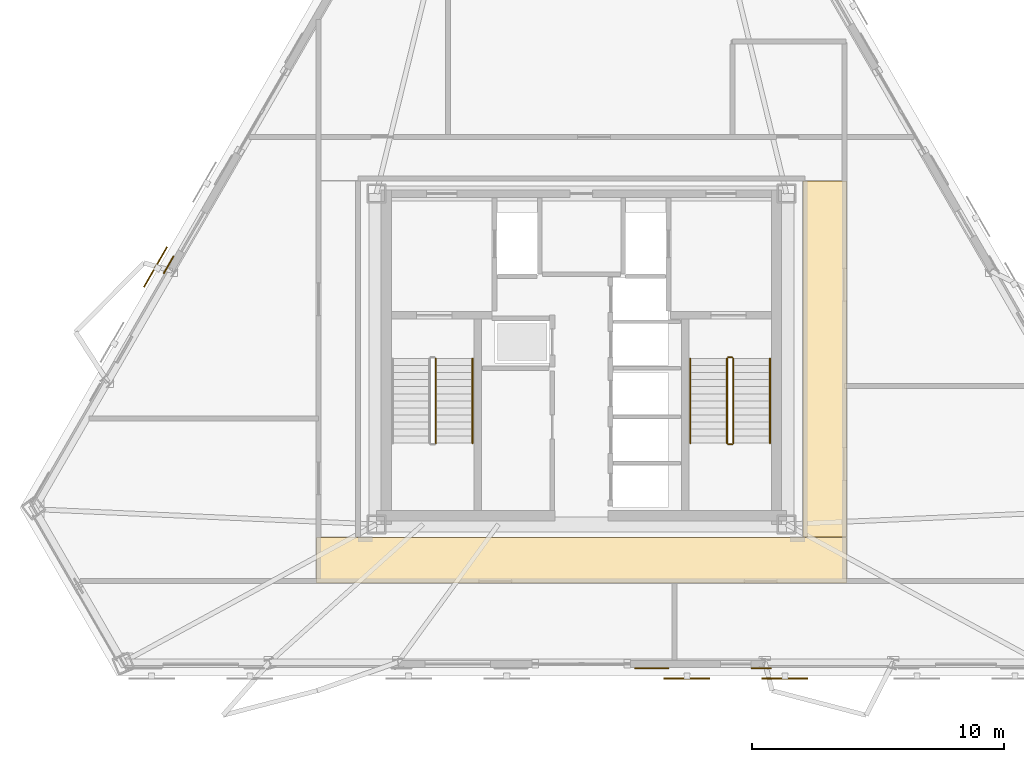
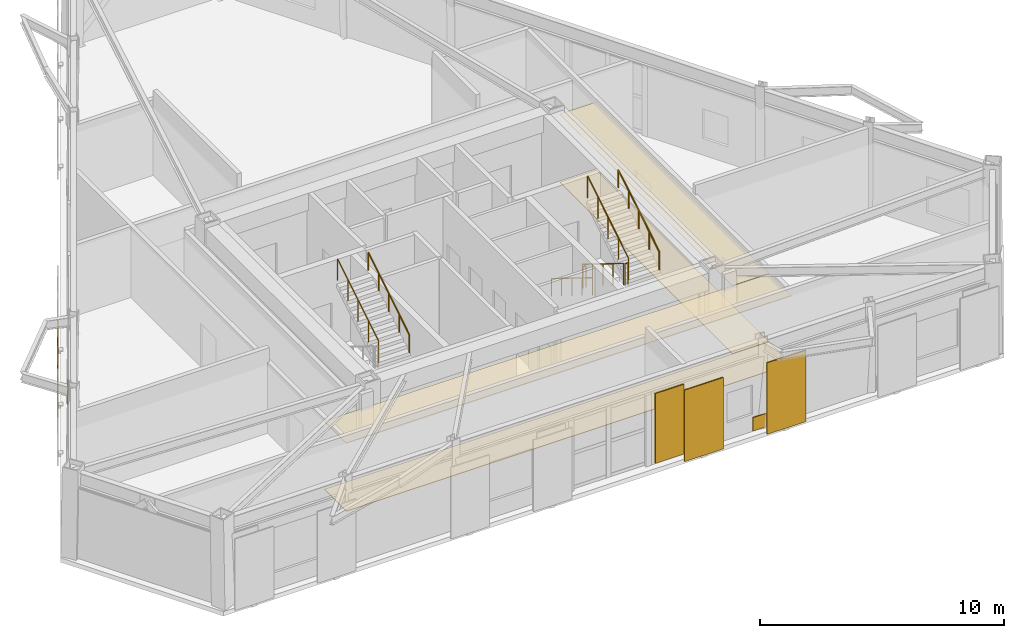
# One storey, part 12 of 14: 8 railings, 7 coverings, 3 shading devices.
"""IFC4 building model written with IfcOpenShell, lengths in metres."""

from ifc_helpers import new_model, si_unit, direction, frame, origin, origin_2d, place, context, subcontext, project, spatial, polyline, rectangle, circle, outline, extrude, material, layer, layer_set, type_object, element, save


model = new_model("IFC4")

# Units and contexts
model_context = context("Model", 3, precision=1e-05, world=origin(), true_north=direction((0.0, 1.0)))
body_context = subcontext(model_context, "Body", "Model", "MODEL_VIEW")
ifc_project = project(units=[si_unit("LENGTHUNIT", "METRE"), si_unit("AREAUNIT", "SQUARE_METRE"), si_unit("VOLUMEUNIT", "CUBIC_METRE"), si_unit("PLANEANGLEUNIT", "RADIAN"), si_unit("MASSUNIT", "GRAM", prefix="KILO")], contexts=[model_context])

# Site, building, storey
site_placement = place(None, origin())
site = spatial("IfcSite", under=ifc_project, at=site_placement, CompositionType="ELEMENT")
building_placement = place(site_placement, origin())
building = spatial("IfcBuilding", under=site, at=building_placement, Name="Oramaril Tower", CompositionType="ELEMENT")
storey_placement = place(building_placement, frame((0.0, 0.0, 204.60009765625)))
storey = spatial("IfcBuildingStorey", under=building, at=storey_placement, Name="L54", CompositionType="ELEMENT", Elevation=204.60009765625)

# Coverings
ifc_material_1 = material(Name="Mineral Fibre Acoustic Ceiling")
ifc_layer_1 = layer(ifc_material_1, 0.02001953125)
ifc_layer_set_1 = layer_set([ifc_layer_1], Name="CVT-CEIL")
covering_type_1 = type_object("IfcCoveringType", Name="CVT-CEIL", PredefinedType="CEILING", material=ifc_layer_set_1)
covering_1_placement = place(storey_placement, frame((0.0, 0.0, 3.411865234375)))
element("IfcCovering", 1, at=covering_1_placement, inside=storey, type_object=covering_type_1, Name="L54 Acoustic Suspended Ceiling 1", PredefinedType="CEILING", context=body_context, shape_type="SweptSolid", body=[
    extrude(outline(polyline([(48.030029296875, 10.47998046875), (48.030029296875, 8.669921875), (26.969970703125, 8.669921875), (26.969970703125, 10.47998046875), (48.030029296875, 10.47998046875)])), origin(), (0.0, 0.0, 1.0), 0.02001953125),
])
covering_2_placement = place(storey_placement, frame((0.0, 0.0, 3.411865234375)))
element("IfcCovering", 2, at=covering_2_placement, inside=storey, type_object=covering_type_1, Name="L54 Acoustic Suspended Ceiling 4", PredefinedType="CEILING", context=body_context, shape_type="SweptSolid", body=[
    extrude(outline(polyline([(48.030029296875, 10.5), (46.300048828125, 10.5), (46.300048828125, 24.64990234375), (48.030029296875, 24.64990234375), (48.030029296875, 10.5)])), origin(), (0.0, 0.0, 1.0), 0.02001953125),
])
ifc_material_2 = material(Name="Warm Cream Limestone", Category="masonry")
ifc_layer_2 = layer(ifc_material_2, 0.050048828125)
ifc_layer_set_2 = layer_set([ifc_layer_2], Name="CVT-CLD")
covering_type_2 = type_object("IfcCoveringType", Name="CVT-CLD", PredefinedType="CLADDING", material=ifc_layer_set_2)
covering_3_placement = place(storey_placement, frame((40.300048828125, 5.28125, 0.039794921875), z_axis=(0.0, 0.0, 1.0), x_axis=(1.0, 0.0, 0.0)))
element("IfcCovering", 3, at=covering_3_placement, inside=storey, type_object=covering_type_2, Name="L54 Warm Cream Limestone Cladding", PredefinedType="CLADDING", context=body_context, shape_type="SweptSolid", body=[
    extrude(rectangle(XDim=1.35009765625, YDim=0.050048828125, at=origin_2d()), origin(), (0.0, 0.0, 1.0), 3.4970703125),
])
for number, where, z_axis, x_axis, name in (
    (4, (44.651611328125, 5.28125, 0.0400390625), (0.0, 0.0, 1.0), (1.0, 0.0, 0.0), "L54 Warm Cream Limestone Spandrel Cladding"),
    (5, (21.0908203125, 21.31591796875, 0.0400390625), (0.0, 0.0, 1.0), (-0.5, -0.866025403784, 0.0), "L54 Warm Cream Limestone Spandrel Cladding"),
):
    element("IfcCovering", number, at=place(storey_placement, frame(where, z_axis=z_axis, x_axis=x_axis)), inside=storey, type_object=covering_type_2, Name=name, PredefinedType="CLADDING", context=body_context, shape_type="SweptSolid", body=[
        extrude(rectangle(XDim=0.800048828125, YDim=0.050048828125, at=origin_2d()), origin(), (0.0, 0.0, 1.0), 0.679931640625),
    ])
ifc_material_3 = material(Name="Honed Quartzite Stone Flooring", Category="masonry")
ifc_layer_3 = layer(ifc_material_3, 0.02490234375)
ifc_layer_set_3 = layer_set([ifc_layer_3], Name="CVT-FLR")
covering_type_3 = type_object("IfcCoveringType", Name="CVT-FLR", PredefinedType="FLOORING", material=ifc_layer_set_3)
covering_4_placement = place(storey_placement, origin())
element("IfcCovering", 6, at=covering_4_placement, inside=storey, type_object=covering_type_3, Name="L54 Honed Stone Floor Finish 1", PredefinedType="FLOORING", context=body_context, shape_type="SweptSolid", body=[
    extrude(outline(polyline([(48.030029296875, 10.47998046875), (48.030029296875, 8.669921875), (26.969970703125, 8.669921875), (26.969970703125, 10.47998046875), (48.030029296875, 10.47998046875)])), origin(), (0.0, 0.0, 1.0), 0.02490234375),
])
covering_5_placement = place(storey_placement, origin())
element("IfcCovering", 7, at=covering_5_placement, inside=storey, type_object=covering_type_3, Name="L54 Honed Stone Floor Finish 4", PredefinedType="FLOORING", context=body_context, shape_type="SweptSolid", body=[
    extrude(outline(polyline([(48.030029296875, 10.5), (46.300048828125, 10.5), (46.300048828125, 24.64990234375), (48.030029296875, 24.64990234375), (48.030029296875, 10.5)])), origin(), (0.0, 0.0, 1.0), 0.02490234375),
])

# Railings
ifc_material_4 = material(Name="Stainless Steel 316L", Category="steel")
railing_type_1 = type_object("IfcRailingType", Name="RLT-GRD", PredefinedType="GUARDRAIL", material=ifc_material_4)
railing_1_placement = place(storey_placement, frame((31.7099609375, 14.22998046875, 2.423095703125)))
element("IfcRailing", 8, at=railing_1_placement, inside=storey, type_object=railing_type_1, Name="L54 ST-1 stair guard 3", PredefinedType="GUARDRAIL", context=body_context, shape_type="SweptSolid", body=[
    extrude(circle(Radius=0.02392578125, at=origin_2d()), frame((0.0, 0.0, 1.076171875), z_axis=(0.0, 0.850623216509, 0.525775754039), x_axis=(-1.0, 0.0, 0.0)), (0.0, 0.0, 1.0), 3.9501953125),
    extrude(circle(Radius=0.02099609375, at=origin_2d()), origin(), (0.0, 0.0, 1.0), 1.052001953125),
    extrude(circle(Radius=0.02099609375, at=origin_2d()), frame((0.0, 0.840087890625, 0.519287109375)), (0.0, 0.0, 1.0), 1.052001953125),
    extrude(circle(Radius=0.02099609375, at=origin_2d()), frame((0.0, 1.68017578125, 1.03857421875)), (0.0, 0.0, 1.0), 1.052001953125),
    extrude(circle(Radius=0.02099609375, at=origin_2d()), frame((0.0, 2.52001953125, 1.5576171875)), (0.0, 0.0, 1.0), 1.052001953125),
    extrude(circle(Radius=0.02099609375, at=origin_2d()), frame((0.0, 3.360107421875, 2.076904296875)), (0.0, 0.0, 1.0), 1.052001953125),
])
railing_2_placement = place(storey_placement, frame((43.2900390625, 17.590087890625, 0.173095703125)))
element("IfcRailing", 9, at=railing_2_placement, inside=storey, type_object=railing_type_1, Name="L54 ST-2 stair guard 1", PredefinedType="GUARDRAIL", context=body_context, shape_type="SweptSolid", body=[
    extrude(circle(Radius=0.02392578125, at=origin_2d()), frame((0.0, 0.0, 1.076171875), z_axis=(0.0, -0.850623216509, 0.525775754039), x_axis=(1.0, 0.0, 0.0)), (0.0, 0.0, 1.0), 3.9501953125),
    extrude(circle(Radius=0.02099609375, at=origin_2d()), origin(), (0.0, 0.0, 1.0), 1.052001953125),
    extrude(circle(Radius=0.02099609375, at=origin_2d()), frame((0.0, -0.840087890625, 0.519287109375)), (0.0, 0.0, 1.0), 1.052001953125),
    extrude(circle(Radius=0.02099609375, at=origin_2d()), frame((0.0, -1.68017578125, 1.03857421875)), (0.0, 0.0, 1.0), 1.052001953125),
    extrude(circle(Radius=0.02099609375, at=origin_2d()), frame((0.0, -2.52001953125, 1.5576171875)), (0.0, 0.0, 1.0), 1.052001953125),
    extrude(circle(Radius=0.02099609375, at=origin_2d()), frame((0.0, -3.360107421875, 2.076904296875)), (0.0, 0.0, 1.0), 1.052001953125),
])
railing_3_placement = place(storey_placement, frame((43.340087890625, 14.179931640625, 2.25)))
element("IfcRailing", 10, at=railing_3_placement, inside=storey, type_object=railing_type_1, Name="L54 ST-2 stair guard 2", PredefinedType="GUARDRAIL", context=body_context, shape_type="SweptSolid", body=[
    extrude(circle(Radius=0.02392578125, at=origin_2d()), frame((0.0, 0.0, 1.076171875), z_axis=(1.0, 0.0, 0.0), x_axis=(0.0, 1.0, 0.0)), (0.0, 0.0, 1.0), 0.14990234375),
    extrude(circle(Radius=0.02099609375, at=origin_2d()), origin(), (0.0, 0.0, 1.0), 1.052001953125),
    extrude(circle(Radius=0.02099609375, at=origin_2d()), frame((0.14990234375, 0.0, 0.0)), (0.0, 0.0, 1.0), 1.052001953125),
])
railing_4_placement = place(storey_placement, frame((43.5400390625, 14.22998046875, 2.423095703125)))
element("IfcRailing", 11, at=railing_4_placement, inside=storey, type_object=railing_type_1, Name="L54 ST-2 stair guard 3", PredefinedType="GUARDRAIL", context=body_context, shape_type="SweptSolid", body=[
    extrude(circle(Radius=0.02392578125, at=origin_2d()), frame((0.0, 0.0, 1.076171875), z_axis=(0.0, 0.850623216509, 0.525775754039), x_axis=(-1.0, 0.0, 0.0)), (0.0, 0.0, 1.0), 3.9501953125),
    extrude(circle(Radius=0.02099609375, at=origin_2d()), origin(), (0.0, 0.0, 1.0), 1.052001953125),
    extrude(circle(Radius=0.02099609375, at=origin_2d()), frame((0.0, 0.840087890625, 0.519287109375)), (0.0, 0.0, 1.0), 1.052001953125),
    extrude(circle(Radius=0.02099609375, at=origin_2d()), frame((0.0, 1.68017578125, 1.03857421875)), (0.0, 0.0, 1.0), 1.052001953125),
    extrude(circle(Radius=0.02099609375, at=origin_2d()), frame((0.0, 2.52001953125, 1.5576171875)), (0.0, 0.0, 1.0), 1.052001953125),
    extrude(circle(Radius=0.02099609375, at=origin_2d()), frame((0.0, 3.360107421875, 2.076904296875)), (0.0, 0.0, 1.0), 1.052001953125),
])
railing_5_placement = place(storey_placement, frame((43.340087890625, 17.639892578125, 0.0)))
element("IfcRailing", 12, at=railing_5_placement, inside=storey, type_object=railing_type_1, Name="L54 ST-2 stair guard 4", PredefinedType="GUARDRAIL", context=body_context, shape_type="SweptSolid", body=[
    extrude(circle(Radius=0.02392578125, at=origin_2d()), frame((0.0, 0.0, 1.076171875), z_axis=(1.0, 0.0, 0.0), x_axis=(0.0, 1.0, 0.0)), (0.0, 0.0, 1.0), 0.14990234375),
    extrude(circle(Radius=0.02099609375, at=origin_2d()), origin(), (0.0, 0.0, 1.0), 1.052001953125),
    extrude(circle(Radius=0.02099609375, at=origin_2d()), frame((0.14990234375, 0.0, 0.0)), (0.0, 0.0, 1.0), 1.052001953125),
])
ifc_material_5 = material(Name="Stainless Steel 316L", Category="steel")
railing_type_2 = type_object("IfcRailingType", Name="RLT-HND", PredefinedType="HANDRAIL", material=ifc_material_5)
railing_6_placement = place(storey_placement, frame((33.169921875, 14.22998046875, 2.423095703125)))
element("IfcRailing", 13, at=railing_6_placement, inside=storey, type_object=railing_type_2, Name="L54 ST-1 stair handrail 2", PredefinedType="HANDRAIL", context=body_context, shape_type="SweptSolid", body=[
    extrude(circle(Radius=0.02392578125, at=origin_2d()), frame((0.0, 0.0, 0.8759765625), z_axis=(0.0, 0.850623216509, 0.525775754039), x_axis=(-1.0, 0.0, 0.0)), (0.0, 0.0, 1.0), 3.9501953125),
    extrude(circle(Radius=0.02099609375, at=origin_2d()), origin(), (0.0, 0.0, 1.0), 0.851806640625),
    extrude(circle(Radius=0.02099609375, at=origin_2d()), frame((0.0, 0.840087890625, 0.519287109375)), (0.0, 0.0, 1.0), 0.851806640625),
    extrude(circle(Radius=0.02099609375, at=origin_2d()), frame((0.0, 1.68017578125, 1.03857421875)), (0.0, 0.0, 1.0), 0.851806640625),
    extrude(circle(Radius=0.02099609375, at=origin_2d()), frame((0.0, 2.52001953125, 1.5576171875)), (0.0, 0.0, 1.0), 0.851806640625),
    extrude(circle(Radius=0.02099609375, at=origin_2d()), frame((0.0, 3.360107421875, 2.076904296875)), (0.0, 0.0, 1.0), 0.851806640625),
])
railing_7_placement = place(storey_placement, frame((41.830078125, 17.590087890625, 0.173095703125)))
element("IfcRailing", 14, at=railing_7_placement, inside=storey, type_object=railing_type_2, Name="L54 ST-2 stair handrail 1", PredefinedType="HANDRAIL", context=body_context, shape_type="SweptSolid", body=[
    extrude(circle(Radius=0.02392578125, at=origin_2d()), frame((0.0, 0.0, 0.8759765625), z_axis=(0.0, -0.850623216509, 0.525775754039), x_axis=(1.0, 0.0, 0.0)), (0.0, 0.0, 1.0), 3.9501953125),
    extrude(circle(Radius=0.02099609375, at=origin_2d()), origin(), (0.0, 0.0, 1.0), 0.851806640625),
    extrude(circle(Radius=0.02099609375, at=origin_2d()), frame((0.0, -0.840087890625, 0.519287109375)), (0.0, 0.0, 1.0), 0.851806640625),
    extrude(circle(Radius=0.02099609375, at=origin_2d()), frame((0.0, -1.68017578125, 1.03857421875)), (0.0, 0.0, 1.0), 0.851806640625),
    extrude(circle(Radius=0.02099609375, at=origin_2d()), frame((0.0, -2.52001953125, 1.5576171875)), (0.0, 0.0, 1.0), 0.851806640625),
    extrude(circle(Radius=0.02099609375, at=origin_2d()), frame((0.0, -3.360107421875, 2.076904296875)), (0.0, 0.0, 1.0), 0.851806640625),
])
railing_8_placement = place(storey_placement, frame((45.0, 14.22998046875, 2.423095703125)))
element("IfcRailing", 15, at=railing_8_placement, inside=storey, type_object=railing_type_2, Name="L54 ST-2 stair handrail 2", PredefinedType="HANDRAIL", context=body_context, shape_type="SweptSolid", body=[
    extrude(circle(Radius=0.02392578125, at=origin_2d()), frame((0.0, 0.0, 0.8759765625), z_axis=(0.0, 0.850623216509, 0.525775754039), x_axis=(-1.0, 0.0, 0.0)), (0.0, 0.0, 1.0), 3.9501953125),
    extrude(circle(Radius=0.02099609375, at=origin_2d()), origin(), (0.0, 0.0, 1.0), 0.851806640625),
    extrude(circle(Radius=0.02099609375, at=origin_2d()), frame((0.0, 0.840087890625, 0.519287109375)), (0.0, 0.0, 1.0), 0.851806640625),
    extrude(circle(Radius=0.02099609375, at=origin_2d()), frame((0.0, 1.68017578125, 1.03857421875)), (0.0, 0.0, 1.0), 0.851806640625),
    extrude(circle(Radius=0.02099609375, at=origin_2d()), frame((0.0, 2.52001953125, 1.5576171875)), (0.0, 0.0, 1.0), 0.851806640625),
    extrude(circle(Radius=0.02099609375, at=origin_2d()), frame((0.0, 3.360107421875, 2.076904296875)), (0.0, 0.0, 1.0), 0.851806640625),
])

# Shading devices
for number, where, z_axis, x_axis, name in (
    (16, (41.688720703125, 4.869384765625, -0.02001953125), (0.0, 0.0, 1.0), (1.0, 0.0, 0.0), "L54 Perforated Ceramic Solar Screen"),
    (17, (45.588623046875, 4.869384765625, -0.02001953125), (0.0, 0.0, 1.0), (1.0, 0.0, 0.0), "L54 Perforated Ceramic Solar Screen"),
    (18, (20.565673828125, 21.23046875, -0.02001953125), (0.0, 0.0, 1.0), (-0.500001511499, -0.866024531118, 0.0), "L54 Perforated Ceramic Solar Screen"),
):
    element("IfcShadingDevice", number, at=place(storey_placement, frame(where, z_axis=z_axis, x_axis=x_axis)), inside=storey, Name=name, ObjectType="SCREEN", PredefinedType="USERDEFINED", context=body_context, shape_type="SweptSolid", body=[
        extrude(rectangle(XDim=1.8330078125, YDim=0.050048828125, at=origin_2d()), origin(), (0.0, 0.0, 1.0), 3.576904296875),
    ])

save(model, "model.ifc")
